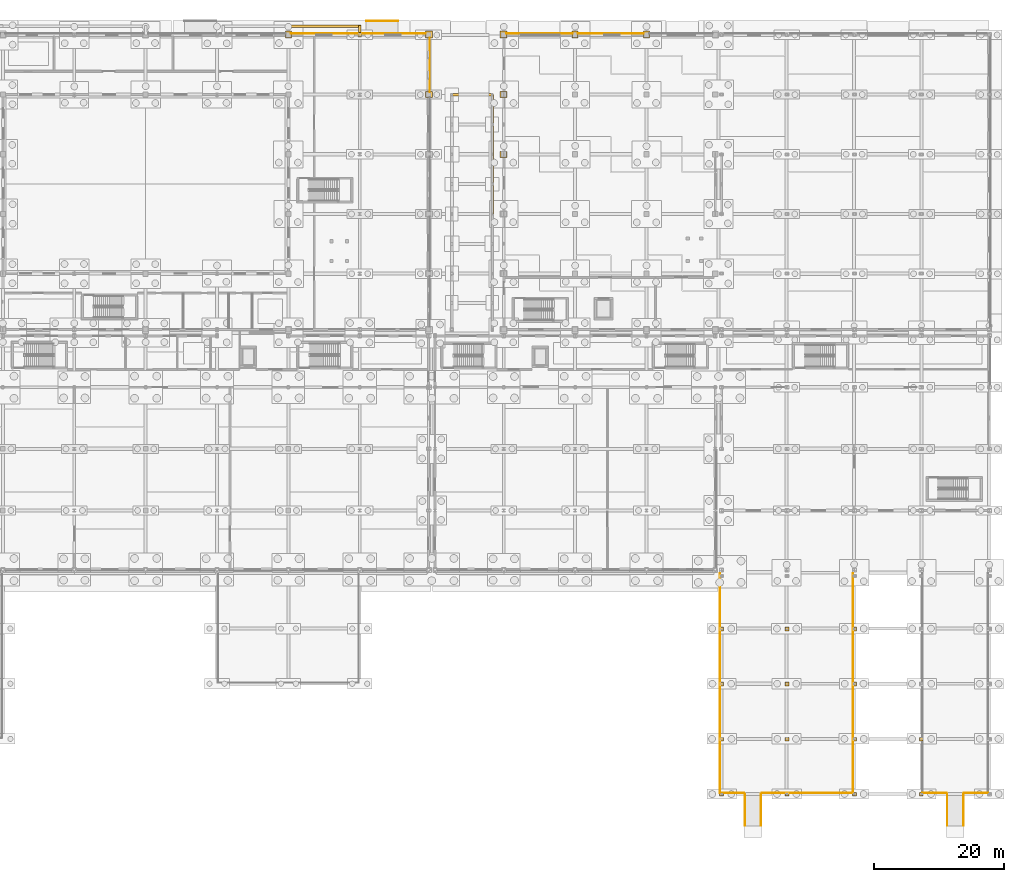
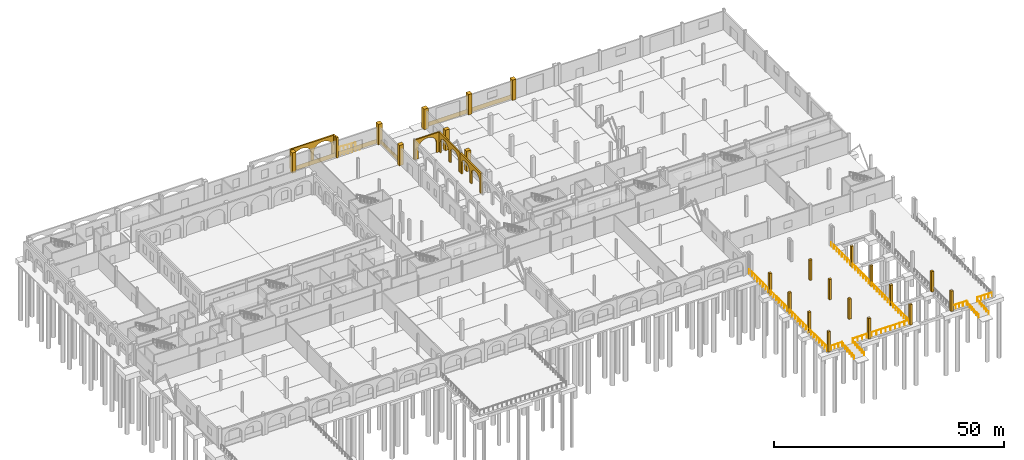
# One storey, part 78 of 83: 33 coverings, 12 railings.
"""IFC4 building model written with IfcOpenShell, lengths in metres."""

from ifc_helpers import new_model, si_unit, direction, frame, frame_2d, origin, origin_2d, place, context, subcontext, project, spatial, polyline, rectangle, circle, outline, extrude, material, layer, layer_set, type_object, element, save


model = new_model("IFC4")

# Units and contexts
model_context = context("Model", 3, precision=1e-05, world=origin(), true_north=direction((0.0, 1.0)))
body_context = subcontext(model_context, "Body", "Model", "MODEL_VIEW")
ifc_project = project(units=[si_unit("LENGTHUNIT", "METRE"), si_unit("AREAUNIT", "SQUARE_METRE"), si_unit("VOLUMEUNIT", "CUBIC_METRE"), si_unit("PLANEANGLEUNIT", "RADIAN"), si_unit("MASSUNIT", "GRAM", prefix="KILO")], contexts=[model_context])

# Site, building, storey
site_placement = place(None, origin())
site = spatial("IfcSite", under=ifc_project, at=site_placement, CompositionType="ELEMENT")
building_placement = place(site_placement, origin())
building = spatial("IfcBuilding", under=site, at=building_placement, Name="Caurita Quay Ferry Terminal", CompositionType="ELEMENT")
storey_placement = place(building_placement, origin())
storey = spatial("IfcBuildingStorey", under=building, at=storey_placement, Name="L00", CompositionType="ELEMENT", Elevation=0.0)

# Coverings
ifc_material_1 = material(Name="Warm-white lime stucco masonry", Category="masonry")
ifc_layer_1 = layer(ifc_material_1, 0.360107421875, Name="Spanish Colonial semicircular lime-stucco portales arcade 360 mm")
ifc_layer_set_1 = layer_set([ifc_layer_1], Name="Warm-white lime stucco masonry")
covering_type_1 = type_object("IfcCoveringType", Name="COV-ARC-CLD", PredefinedType="CLADDING", material=ifc_layer_set_1)
covering_1_placement = place(storey_placement, frame((77.199951171875, 118.35009765625, 0.0), z_axis=(0.0, 0.0, 1.0), x_axis=(-1.0, 0.0, 0.0)))
element("IfcCovering", 1, at=covering_1_placement, inside=storey, type_object=covering_type_1, Name="North Street Portales Colonnade 006", PredefinedType="CLADDING", context=body_context, shape_type="SweptSolid", body=[
    extrude(outline(polyline([(0.0, 0.0), (0.75, 0.0), (0.75, 2.550048828125), (0.826171875, 3.041748046875), (1.0498046875, 3.5), (1.4052734375, 3.8935546875), (1.86865234375, 4.195556640625), (2.408447265625, 4.38525390625), (2.987548828125, 4.449951171875), (3.566650390625, 4.38525390625), (4.106201171875, 4.195556640625), (4.569580078125, 3.8935546875), (4.92529296875, 3.5), (5.148681640625, 3.041748046875), (5.22509765625, 2.550048828125), (5.22509765625, 0.0), (5.97509765625, 0.0), (5.97509765625, 2.550048828125), (6.05126953125, 3.041748046875), (6.274658203125, 3.5), (6.63037109375, 3.8935546875), (7.09375, 4.195556640625), (7.63330078125, 4.38525390625), (8.21240234375, 4.449951171875), (8.79150390625, 4.38525390625), (9.331298828125, 4.195556640625), (9.794677734375, 3.8935546875), (10.150146484375, 3.5), (10.373779296875, 3.041748046875), (10.449951171875, 2.550048828125), (10.449951171875, 0.0), (11.199951171875, 0.0), (11.199951171875, 5.179931640625), (0.0, 5.179931640625), (0.0, 0.0)])), frame((0.0, 0.18017578125, 0.0), z_axis=(0.0, -1.0, 0.0), x_axis=(1.0, 0.0, 0.0)), (0.0, 0.0, 1.0), 0.360107421875),
])
covering_2_placement = place(storey_placement, frame((77.02001953125, 117.0, 0.0), z_axis=(0.0, 0.0, 1.0), x_axis=(0.0, 1.0, 0.0)))
element("IfcCovering", 2, at=covering_2_placement, inside=storey, type_object=covering_type_1, Name="North Portales End Arch 010", PredefinedType="CLADDING", context=body_context, shape_type="SweptSolid", body=[
    extrude(outline(polyline([(0.0, 0.0), (0.219970703125, 0.0), (0.219970703125, 2.550048828125), (0.2373046875, 2.66650390625), (0.28759765625, 2.77490234375), (0.367919921875, 2.8681640625), (0.472412109375, 2.939697265625), (0.59423828125, 2.984619140625), (0.72509765625, 3.0), (0.855712890625, 2.984619140625), (0.9775390625, 2.939697265625), (1.08203125, 2.8681640625), (1.162353515625, 2.77490234375), (1.212646484375, 2.66650390625), (1.22998046875, 2.550048828125), (1.22998046875, 0.0), (1.449951171875, 0.0), (1.449951171875, 5.179931640625), (0.0, 5.179931640625), (0.0, 0.0)])), frame((0.0, 0.18017578125, 0.0), z_axis=(0.0, -1.0, 0.0), x_axis=(1.0, 0.0, 0.0)), (0.0, 0.0, 1.0), 0.360107421875),
])
covering_3_placement = place(storey_placement, frame((97.39990234375, 89.39990234375, 0.0), z_axis=(0.0, 0.0, 1.0), x_axis=(0.0, 1.0, 0.0)))
element("IfcCovering", 3, at=covering_3_placement, inside=storey, type_object=covering_type_1, Name="Forecourt Portico Semicircular Arcade 036", PredefinedType="CLADDING", context=body_context, shape_type="SweptSolid", body=[
    extrude(outline(polyline([(0.0, 0.0), (0.64990234375, 0.0), (0.64990234375, 2.64990234375), (0.711669921875, 3.10302734375), (0.892822265625, 3.52490234375), (1.180908203125, 3.887451171875), (1.55615234375, 4.16552734375), (1.993408203125, 4.34033203125), (2.462646484375, 4.39990234375), (2.931640625, 4.34033203125), (3.368896484375, 4.16552734375), (3.744140625, 3.887451171875), (4.0322265625, 3.52490234375), (4.21337890625, 3.10302734375), (4.275146484375, 2.64990234375), (4.275146484375, 0.0), (4.925048828125, 0.0), (4.925048828125, 2.64990234375), (4.98681640625, 3.10302734375), (5.16796875, 3.52490234375), (5.4560546875, 3.887451171875), (5.831298828125, 4.16552734375), (6.2685546875, 4.34033203125), (6.737548828125, 4.39990234375), (7.206787109375, 4.34033203125), (7.64404296875, 4.16552734375), (8.019287109375, 3.887451171875), (8.307373046875, 3.52490234375), (8.488525390625, 3.10302734375), (8.55029296875, 2.64990234375), (8.55029296875, 0.0), (9.2001953125, 0.0), (9.2001953125, 5.260009765625), (0.0, 5.260009765625), (0.0, 0.0)])), frame((0.0, 0.18017578125, 0.0), z_axis=(0.0, -1.0, 0.0), x_axis=(1.0, 0.0, 0.0)), (0.0, 0.0, 1.0), 0.360107421875),
])
covering_4_placement = place(storey_placement, frame((97.39990234375, 98.60009765625, 0.0), z_axis=(0.0, 0.0, 1.0), x_axis=(0.0, 1.0, 0.0)))
element("IfcCovering", 4, at=covering_4_placement, inside=storey, type_object=covering_type_1, Name="Forecourt Portico Semicircular Arcade 037", PredefinedType="CLADDING", context=body_context, shape_type="SweptSolid", body=[
    extrude(outline(polyline([(0.0, 0.0), (0.64990234375, 0.0), (0.64990234375, 2.64990234375), (0.711669921875, 3.10302734375), (0.892822265625, 3.52490234375), (1.180908203125, 3.887451171875), (1.55615234375, 4.16552734375), (1.993408203125, 4.34033203125), (2.46240234375, 4.39990234375), (2.931640625, 4.34033203125), (3.36865234375, 4.16552734375), (3.744140625, 3.887451171875), (4.0322265625, 3.52490234375), (4.213134765625, 3.10302734375), (4.27490234375, 2.64990234375), (4.27490234375, 0.0), (4.925048828125, 0.0), (4.925048828125, 2.64990234375), (4.98681640625, 3.10302734375), (5.167724609375, 3.52490234375), (5.455810546875, 3.887451171875), (5.831298828125, 4.16552734375), (6.268310546875, 4.34033203125), (6.737548828125, 4.39990234375), (7.20654296875, 4.34033203125), (7.643798828125, 4.16552734375), (8.01904296875, 3.887451171875), (8.30712890625, 3.52490234375), (8.48828125, 3.10302734375), (8.550048828125, 2.64990234375), (8.550048828125, 0.0), (9.199951171875, 0.0), (9.199951171875, 5.260009765625), (0.0, 5.260009765625), (0.0, 0.0)])), frame((0.0, 0.18017578125, 0.0), z_axis=(0.0, -1.0, 0.0), x_axis=(1.0, 0.0, 0.0)), (0.0, 0.0, 1.0), 0.360107421875),
])
covering_5_placement = place(storey_placement, frame((97.550048828125, 107.800048828125, 0.0), z_axis=(0.0, 0.0, 1.0), x_axis=(-1.0, 0.0, 0.0)))
element("IfcCovering", 5, at=covering_5_placement, inside=storey, type_object=covering_type_1, Name="Forecourt Portico Grand North Entry Arch 038", PredefinedType="CLADDING", context=body_context, shape_type="SweptSolid", body=[
    extrude(outline(polyline([(0.0, 0.0), (0.949951171875, 0.0), (0.949951171875, 2.699951171875), (1.0283203125, 3.23046875), (1.258056640625, 3.72509765625), (1.62353515625, 4.149658203125), (2.10009765625, 4.475341796875), (2.65478515625, 4.68017578125), (3.25, 4.75), (3.84521484375, 4.68017578125), (4.39990234375, 4.475341796875), (4.87646484375, 4.149658203125), (5.241943359375, 3.72509765625), (5.4716796875, 3.23046875), (5.550048828125, 2.699951171875), (5.550048828125, 0.0), (6.5, 0.0), (6.5, 5.260009765625), (0.0, 5.260009765625), (0.0, 0.0)])), frame((0.0, 0.18017578125, 0.0), z_axis=(0.0, -1.0, 0.0), x_axis=(1.0, 0.0, 0.0)), (0.0, 0.0, 1.0), 0.360107421875),
])
ifc_material_2 = material(Name="Coral stone ashlar cladding", Category="masonry")
ifc_layer_2 = layer(ifc_material_2, 0.054931640625, Name="Rusticated coral-stone basamento plinth cladding 55 mm")
ifc_layer_set_2 = layer_set([ifc_layer_2], Name="Coral stone ashlar cladding")
covering_type_2 = type_object("IfcCoveringType", Name="COV-CORAL-CLD", PredefinedType="CLADDING", material=ifc_layer_set_2)
covering_6_placement = place(storey_placement, frame((76.984130859375, 117.215087890625, 0.0), z_axis=(0.0, 0.0, 1.0), x_axis=(-1.0, 0.0, 0.0)))
element("IfcCovering", 6, at=covering_6_placement, inside=storey, type_object=covering_type_2, Name="Coral-Stone Basamento Cladding 007", PredefinedType="CLADDING", context=body_context, shape_type="SweptSolid", body=[
    extrude(rectangle(XDim=10.586181640625, YDim=0.054931640625, at=frame_2d((5.29296875, 0.0))), origin(), (0.0, 0.0, 1.0), 1.14990234375),
])
covering_7_placement = place(storey_placement, frame((87.201904296875, 117.215087890625, 0.0), z_axis=(0.0, 0.0, 1.0), x_axis=(-1.0, 0.0, 0.0)))
element("IfcCovering", 7, at=covering_7_placement, inside=storey, type_object=covering_type_2, Name="Coral-Stone Basamento Cladding 008", PredefinedType="CLADDING", context=body_context, shape_type="SweptSolid", body=[
    extrude(rectangle(XDim=10.18603515625, YDim=0.054931640625, at=frame_2d((5.093017578125, 0.0))), origin(), (0.0, 0.0, 1.0), 1.14990234375),
])
covering_8_placement = place(storey_placement, frame((87.794921875, 108.197998046875, 0.0), z_axis=(0.0, 0.0, 1.0), x_axis=(0.0, 1.0, 0.0)))
element("IfcCovering", 8, at=covering_8_placement, inside=storey, type_object=covering_type_2, Name="Coral-Stone Basamento Cladding 080", PredefinedType="CLADDING", context=body_context, shape_type="SweptSolid", body=[
    extrude(rectangle(XDim=8.404052734375, YDim=0.054931640625, at=frame_2d((4.2021484375, 0.0))), origin(), (0.0, 0.0, 1.0), 1.14990234375),
])
for number, where, z_axis, x_axis, name in (
    (9, (109.802001953125, 117.195068359375, 0.0), (0.0, 0.0, 1.0), (-1.0, 0.0, 0.0), "Coral-Stone Basamento Cladding 188"),
    (10, (120.802001953125, 117.195068359375, 0.0), (0.0, 0.0, 1.0), (-1.0, 0.0, 0.0), "Coral-Stone Basamento Cladding 191"),
):
    element("IfcCovering", number, at=place(storey_placement, frame(where, z_axis=z_axis, x_axis=x_axis)), inside=storey, type_object=covering_type_2, Name=name, PredefinedType="CLADDING", context=body_context, shape_type="SweptSolid", body=[
        extrude(rectangle(XDim=10.2041015625, YDim=0.054931640625, at=frame_2d((5.10205078125, 0.0))), origin(), (0.0, 0.0, 1.0), 1.14990234375),
    ])
ifc_layer_3 = layer(ifc_material_1, 0.179931640625, Name="Classical engaged lime-stucco facade pilaster cladding 180 mm")
ifc_layer_set_3 = layer_set([ifc_layer_3], Name="Warm-white lime stucco masonry")
covering_type_3 = type_object("IfcCoveringType", Name="COV-PIL-CLD", PredefinedType="CLADDING", material=ifc_layer_set_3)
for number, where, z_axis, x_axis, name in (
    (11, (132.75, -0.050048828125, 0.0), (0.0, 0.0, 1.0), (1.0, 0.0, 0.0), "L00 Classical Engaged Pilaster 0127"),
    (12, (132.75, 8.449951171875, 0.0), (0.0, 0.0, 1.0), (1.0, 0.0, 0.0), "L00 Classical Engaged Pilaster 0128"),
    (13, (132.75, 16.949951171875, 0.0), (0.0, 0.0, 1.0), (1.0, 0.0, 0.0), "L00 Classical Engaged Pilaster 0130"),
    (14, (132.75, 25.449951171875, 0.0), (0.0, 0.0, 1.0), (1.0, 0.0, 0.0), "L00 Classical Engaged Pilaster 0132"),
    (15, (142.85009765625, -0.050048828125, 0.0), (0.0, 0.0, 1.0), (1.0, 0.0, 0.0), "L00 Classical Engaged Pilaster 0146"),
    (16, (142.85009765625, 8.449951171875, 0.0), (0.0, 0.0, 1.0), (1.0, 0.0, 0.0), "L00 Classical Engaged Pilaster 0147"),
    (17, (142.85009765625, 16.949951171875, 0.0), (0.0, 0.0, 1.0), (1.0, 0.0, 0.0), "L00 Classical Engaged Pilaster 0149"),
    (18, (142.85009765625, 25.449951171875, 0.0), (0.0, 0.0, 1.0), (1.0, 0.0, 0.0), "L00 Classical Engaged Pilaster 0151"),
    (19, (153.25, -0.050048828125, 0.0), (0.0, 0.0, 1.0), (1.0, 0.0, 0.0), "L00 Classical Engaged Pilaster 0165"),
    (20, (153.25, 8.449951171875, 0.0), (0.0, 0.0, 1.0), (1.0, 0.0, 0.0), "L00 Classical Engaged Pilaster 0166"),
    (21, (153.25, 16.949951171875, 0.0), (0.0, 0.0, 1.0), (1.0, 0.0, 0.0), "L00 Classical Engaged Pilaster 0167"),
    (22, (153.25, 25.449951171875, 0.0), (0.0, 0.0, 1.0), (1.0, 0.0, 0.0), "L00 Classical Engaged Pilaster 0168"),
    (23, (163.550048828125, -0.050048828125, 0.0), (0.0, 0.0, 1.0), (1.0, 0.0, 0.0), "L00 Classical Engaged Pilaster 0180"),
    (24, (163.550048828125, 8.449951171875, 0.0), (0.0, 0.0, 1.0), (1.0, 0.0, 0.0), "L00 Classical Engaged Pilaster 0181"),
):
    element("IfcCovering", number, at=place(storey_placement, frame(where, z_axis=z_axis, x_axis=x_axis)), inside=storey, type_object=covering_type_3, Name=name, PredefinedType="CLADDING", context=body_context, shape_type="SweptSolid", body=[
        extrude(rectangle(XDim=0.584716796875, YDim=0.584716796875, at=origin_2d()), origin(), (0.0, 0.0, 1.0), 5.39990234375),
    ])
for number, where, z_axis, x_axis, name in (
    (25, (99.14990234375, 98.60009765625, 0.0), (0.0, 0.0, 1.0), (1.0, 0.0, 0.0), "L00 Classical Engaged Pilaster 0214"),
    (26, (99.14990234375, 107.800048828125, 0.0), (0.0, 0.0, 1.0), (1.0, 0.0, 0.0), "L00 Classical Engaged Pilaster 0216"),
):
    element("IfcCovering", number, at=place(storey_placement, frame(where, z_axis=z_axis, x_axis=x_axis)), inside=storey, type_object=covering_type_3, Name=name, PredefinedType="CLADDING", context=body_context, shape_type="SweptSolid", body=[
        extrude(rectangle(XDim=1.080078125, YDim=0.919921875, at=origin_2d()), origin(), (0.0, 0.0, 1.0), 5.39990234375),
    ])
covering_9_placement = place(storey_placement, frame((99.14990234375, 117.050048828125, 0.0), z_axis=(0.0, 0.0, 1.0), x_axis=(1.0, 0.0, 0.0)))
element("IfcCovering", 27, at=covering_9_placement, inside=storey, type_object=covering_type_3, Name="L00 Classical Engaged Pilaster 0218", PredefinedType="CLADDING", context=body_context, shape_type="SweptSolid", body=[
    extrude(rectangle(XDim=1.080078125, YDim=1.080078125, at=origin_2d()), origin(), (0.0, 0.0, 1.0), 5.39990234375),
])
for number, where, z_axis, x_axis, name in (
    (28, (110.199951171875, 117.050048828125, 0.0), (0.0, 0.0, 1.0), (1.0, 0.0, 0.0), "L00 Classical Engaged Pilaster 0222"),
    (29, (121.199951171875, 117.050048828125, 0.0), (0.0, 0.0, 1.0), (1.0, 0.0, 0.0), "L00 Classical Engaged Pilaster 0226"),
    (30, (66.0, 117.050048828125, 0.0), (0.0, 0.0, 1.0), (1.0, 0.0, 0.0), "L00 Classical Engaged Pilaster 0380"),
):
    element("IfcCovering", number, at=place(storey_placement, frame(where, z_axis=z_axis, x_axis=x_axis)), inside=storey, type_object=covering_type_3, Name=name, PredefinedType="CLADDING", context=body_context, shape_type="SweptSolid", body=[
        extrude(rectangle(XDim=0.919921875, YDim=1.080078125, at=origin_2d()), origin(), (0.0, 0.0, 1.0), 5.39990234375),
    ])
covering_10_placement = place(storey_placement, frame((77.0, 117.050048828125, 0.0), z_axis=(0.0, 0.0, 1.0), x_axis=(1.0, 0.0, 0.0)))
element("IfcCovering", 31, at=covering_10_placement, inside=storey, type_object=covering_type_3, Name="L00 Classical Engaged Pilaster 0391", PredefinedType="CLADDING", context=body_context, shape_type="SweptSolid", body=[
    extrude(rectangle(XDim=0.531005859375, YDim=0.714111328125, at=origin_2d()), origin(), (0.0, 0.0, 1.0), 5.39990234375),
])
covering_11_placement = place(storey_placement, frame((87.64990234375, 107.800048828125, 0.0), z_axis=(0.0, 0.0, 1.0), x_axis=(1.0, 0.0, 0.0)))
element("IfcCovering", 32, at=covering_11_placement, inside=storey, type_object=covering_type_3, Name="L00 Classical Engaged Pilaster 0402", PredefinedType="CLADDING", context=body_context, shape_type="SweptSolid", body=[
    extrude(rectangle(XDim=1.080078125, YDim=0.919921875, at=origin_2d()), origin(), (0.0, 0.0, 1.0), 5.39990234375),
])
covering_12_placement = place(storey_placement, frame((87.64990234375, 117.050048828125, 0.0), z_axis=(0.0, 0.0, 1.0), x_axis=(1.0, 0.0, 0.0)))
element("IfcCovering", 33, at=covering_12_placement, inside=storey, type_object=covering_type_3, Name="L00 Classical Engaged Pilaster 0404", PredefinedType="CLADDING", context=body_context, shape_type="SweptSolid", body=[
    extrude(rectangle(XDim=1.080078125, YDim=1.080078125, at=origin_2d()), origin(), (0.0, 0.0, 1.0), 5.39990234375),
])

# Railings
ifc_material_3 = material(Name="Bronze architectural metalwork", Category="metal")
railing_type_1 = type_object("IfcRailingType", Name="RL-HND-090", PredefinedType="HANDRAIL", material=ifc_material_3)
for number, where, name in (
    (34, (138.840087890625, -4.89990234375, -0.35009765625), "Berth 1 Accessible Boarding Gangway Ramp Handrail 1"),
    (35, (136.360107421875, -4.89990234375, -0.35009765625), "Berth 1 Accessible Boarding Gangway Ramp Handrail 2"),
    (36, (170.0400390625, -4.89990234375, -0.35009765625), "Berth 2 Accessible Boarding Gangway Ramp Handrail 1"),
    (37, (167.56005859375, -4.89990234375, -0.35009765625), "Berth 2 Accessible Boarding Gangway Ramp Handrail 2"),
):
    element("IfcRailing", number, at=place(storey_placement, frame(where)), inside=storey, type_object=railing_type_1, Name=name, PredefinedType="HANDRAIL", context=body_context, shape_type="SweptSolid", body=[
        extrude(circle(Radius=0.02392578125, at=origin_2d()), frame((0.0, 0.0, 0.8759765625), z_axis=(0.0, 0.997457185933, 0.071268241387), x_axis=(-1.0, 0.0, 0.0)), (0.0, 0.0, 1.0), 4.912353515625),
        extrude(circle(Radius=0.02099609375, at=origin_2d()), origin(), (0.0, 0.0, 1.0), 0.851806640625),
        extrude(circle(Radius=0.02099609375, at=origin_2d()), frame((0.0, 0.97998046875, 0.070068359375)), (0.0, 0.0, 1.0), 0.851806640625),
        extrude(circle(Radius=0.02099609375, at=origin_2d()), frame((0.0, 1.9599609375, 0.14013671875)), (0.0, 0.0, 1.0), 0.851806640625),
        extrude(circle(Radius=0.02099609375, at=origin_2d()), frame((0.0, 2.93994140625, 0.2099609375)), (0.0, 0.0, 1.0), 0.851806640625),
        extrude(circle(Radius=0.02099609375, at=origin_2d()), frame((0.0, 3.919921875, 0.280029296875)), (0.0, 0.0, 1.0), 0.851806640625),
        extrude(circle(Radius=0.02099609375, at=origin_2d()), frame((0.0, 4.89990234375, 0.35009765625)), (0.0, 0.0, 1.0), 0.851806640625),
    ])
for number, where, name in (
    (38, (82.89990234375, 119.139892578125, -0.35009765625), "Forecourt East Accessible Entry Ramp Handrail 1"),
    (39, (82.89990234375, 117.260009765625, -0.35009765625), "Forecourt East Accessible Entry Ramp Handrail 2"),
):
    element("IfcRailing", number, at=place(storey_placement, frame(where)), inside=storey, type_object=railing_type_1, Name=name, PredefinedType="HANDRAIL", context=body_context, shape_type="SweptSolid", body=[
        extrude(circle(Radius=0.02392578125, at=origin_2d()), frame((0.0, 0.0, 0.8759765625), z_axis=(-0.997457185933, 0.0, 0.071268241387), x_axis=(0.0, -1.0, 0.0)), (0.0, 0.0, 1.0), 4.912353515625),
        extrude(circle(Radius=0.02099609375, at=origin_2d()), origin(), (0.0, 0.0, 1.0), 0.851806640625),
        extrude(circle(Radius=0.02099609375, at=origin_2d()), frame((-0.97998046875, 0.0, 0.070068359375)), (0.0, 0.0, 1.0), 0.851806640625),
        extrude(circle(Radius=0.02099609375, at=origin_2d()), frame((-1.9599609375, 0.0, 0.14013671875)), (0.0, 0.0, 1.0), 0.851806640625),
        extrude(circle(Radius=0.02099609375, at=origin_2d()), frame((-2.93994140625, 0.0, 0.2099609375)), (0.0, 0.0, 1.0), 0.851806640625),
        extrude(circle(Radius=0.02099609375, at=origin_2d()), frame((-3.919921875, 0.0, 0.280029296875)), (0.0, 0.0, 1.0), 0.851806640625),
        extrude(circle(Radius=0.02099609375, at=origin_2d()), frame((-4.89990234375, 0.0, 0.35009765625)), (0.0, 0.0, 1.0), 0.851806640625),
    ])
railing_type_2 = type_object("IfcRailingType", Name="RL-QUAY-115", PredefinedType="GUARDRAIL", material=ifc_material_3)
railing_1_placement = place(storey_placement, frame((132.550048828125, 34.0, 0.0)))
element("IfcRailing", 40, at=railing_1_placement, inside=storey, type_object=railing_type_2, Name="Berth 1 Pier Guardrail W (007)", PredefinedType="GUARDRAIL", context=body_context, shape_type="SweptSolid", body=[
    extrude(circle(Radius=0.02392578125, at=origin_2d()), frame((0.0, 0.0, 1.1259765625), z_axis=(0.0, -1.0, 0.0), x_axis=(1.0, 0.0, 0.0)), (0.0, 0.0, 1.0), 33.85009765625),
    extrude(circle(Radius=0.02099609375, at=origin_2d()), origin(), (0.0, 0.0, 1.0), 1.101806640625),
    extrude(circle(Radius=0.02099609375, at=origin_2d()), frame((0.0, -1.167236328125, 0.0)), (0.0, 0.0, 1.0), 1.101806640625),
    extrude(circle(Radius=0.02099609375, at=origin_2d()), frame((0.0, -2.33447265625, 0.0)), (0.0, 0.0, 1.0), 1.101806640625),
    extrude(circle(Radius=0.02099609375, at=origin_2d()), frame((0.0, -3.501708984375, 0.0)), (0.0, 0.0, 1.0), 1.101806640625),
    extrude(circle(Radius=0.02099609375, at=origin_2d()), frame((0.0, -4.6689453125, 0.0)), (0.0, 0.0, 1.0), 1.101806640625),
    extrude(circle(Radius=0.02099609375, at=origin_2d()), frame((0.0, -5.836181640625, 0.0)), (0.0, 0.0, 1.0), 1.101806640625),
    extrude(circle(Radius=0.02099609375, at=origin_2d()), frame((0.0, -7.00341796875, 0.0)), (0.0, 0.0, 1.0), 1.101806640625),
    extrude(circle(Radius=0.02099609375, at=origin_2d()), frame((0.0, -8.170654296875, 0.0)), (0.0, 0.0, 1.0), 1.101806640625),
    extrude(circle(Radius=0.02099609375, at=origin_2d()), frame((0.0, -9.337890625, 0.0)), (0.0, 0.0, 1.0), 1.101806640625),
    extrude(circle(Radius=0.02099609375, at=origin_2d()), frame((0.0, -10.505126953125, 0.0)), (0.0, 0.0, 1.0), 1.101806640625),
    extrude(circle(Radius=0.02099609375, at=origin_2d()), frame((0.0, -11.67236328125, 0.0)), (0.0, 0.0, 1.0), 1.101806640625),
    extrude(circle(Radius=0.02099609375, at=origin_2d()), frame((0.0, -12.839599609375, 0.0)), (0.0, 0.0, 1.0), 1.101806640625),
    extrude(circle(Radius=0.02099609375, at=origin_2d()), frame((0.0, -14.0068359375, 0.0)), (0.0, 0.0, 1.0), 1.101806640625),
    extrude(circle(Radius=0.02099609375, at=origin_2d()), frame((0.0, -15.174072265625, 0.0)), (0.0, 0.0, 1.0), 1.101806640625),
    extrude(circle(Radius=0.02099609375, at=origin_2d()), frame((0.0, -16.34130859375, 0.0)), (0.0, 0.0, 1.0), 1.101806640625),
    extrude(circle(Radius=0.02099609375, at=origin_2d()), frame((0.0, -17.5087890625, 0.0)), (0.0, 0.0, 1.0), 1.101806640625),
    extrude(circle(Radius=0.02099609375, at=origin_2d()), frame((0.0, -18.676025390625, 0.0)), (0.0, 0.0, 1.0), 1.101806640625),
    extrude(circle(Radius=0.02099609375, at=origin_2d()), frame((0.0, -19.84326171875, 0.0)), (0.0, 0.0, 1.0), 1.101806640625),
    extrude(circle(Radius=0.02099609375, at=origin_2d()), frame((0.0, -21.010498046875, 0.0)), (0.0, 0.0, 1.0), 1.101806640625),
    extrude(circle(Radius=0.02099609375, at=origin_2d()), frame((0.0, -22.177734375, 0.0)), (0.0, 0.0, 1.0), 1.101806640625),
    extrude(circle(Radius=0.02099609375, at=origin_2d()), frame((0.0, -23.344970703125, 0.0)), (0.0, 0.0, 1.0), 1.101806640625),
    extrude(circle(Radius=0.02099609375, at=origin_2d()), frame((0.0, -24.51220703125, 0.0)), (0.0, 0.0, 1.0), 1.101806640625),
    extrude(circle(Radius=0.02099609375, at=origin_2d()), frame((0.0, -25.679443359375, 0.0)), (0.0, 0.0, 1.0), 1.101806640625),
    extrude(circle(Radius=0.02099609375, at=origin_2d()), frame((0.0, -26.8466796875, 0.0)), (0.0, 0.0, 1.0), 1.101806640625),
    extrude(circle(Radius=0.02099609375, at=origin_2d()), frame((0.0, -28.013916015625, 0.0)), (0.0, 0.0, 1.0), 1.101806640625),
    extrude(circle(Radius=0.02099609375, at=origin_2d()), frame((0.0, -29.18115234375, 0.0)), (0.0, 0.0, 1.0), 1.101806640625),
    extrude(circle(Radius=0.02099609375, at=origin_2d()), frame((0.0, -30.348388671875, 0.0)), (0.0, 0.0, 1.0), 1.101806640625),
    extrude(circle(Radius=0.02099609375, at=origin_2d()), frame((0.0, -31.515625, 0.0)), (0.0, 0.0, 1.0), 1.101806640625),
    extrude(circle(Radius=0.02099609375, at=origin_2d()), frame((0.0, -32.682861328125, 0.0)), (0.0, 0.0, 1.0), 1.101806640625),
    extrude(circle(Radius=0.02099609375, at=origin_2d()), frame((0.0, -33.85009765625, 0.0)), (0.0, 0.0, 1.0), 1.101806640625),
])
railing_2_placement = place(storey_placement, frame((132.550048828125, 0.14990234375, 0.0)))
element("IfcRailing", 41, at=railing_2_placement, inside=storey, type_object=railing_type_2, Name="Berth 1 Pier Guardrail W (008)", PredefinedType="GUARDRAIL", context=body_context, shape_type="SweptSolid", body=[
    extrude(circle(Radius=0.02392578125, at=origin_2d()), frame((0.0, 0.0, 1.1259765625), z_axis=(1.0, 0.0, 0.0), x_axis=(0.0, 1.0, 0.0)), (0.0, 0.0, 1.0), 3.699951171875),
    extrude(circle(Radius=0.02099609375, at=origin_2d()), origin(), (0.0, 0.0, 1.0), 1.101806640625),
    extrude(circle(Radius=0.02099609375, at=origin_2d()), frame((0.925048828125, 0.0, 0.0)), (0.0, 0.0, 1.0), 1.101806640625),
    extrude(circle(Radius=0.02099609375, at=origin_2d()), frame((1.85009765625, 0.0, 0.0)), (0.0, 0.0, 1.0), 1.101806640625),
    extrude(circle(Radius=0.02099609375, at=origin_2d()), frame((2.77490234375, 0.0, 0.0)), (0.0, 0.0, 1.0), 1.101806640625),
    extrude(circle(Radius=0.02099609375, at=origin_2d()), frame((3.699951171875, 0.0, 0.0)), (0.0, 0.0, 1.0), 1.101806640625),
])
railing_3_placement = place(storey_placement, frame((138.949951171875, 0.14990234375, 0.0)))
element("IfcRailing", 42, at=railing_3_placement, inside=storey, type_object=railing_type_2, Name="Berth 1 Pier Guardrail E (009)", PredefinedType="GUARDRAIL", context=body_context, shape_type="SweptSolid", body=[
    extrude(circle(Radius=0.02392578125, at=origin_2d()), frame((0.0, 0.0, 1.1259765625), z_axis=(1.0, 0.0, 0.0), x_axis=(0.0, 1.0, 0.0)), (0.0, 0.0, 1.0), 14.10009765625),
    extrude(circle(Radius=0.02099609375, at=origin_2d()), origin(), (0.0, 0.0, 1.0), 1.101806640625),
    extrude(circle(Radius=0.02099609375, at=origin_2d()), frame((1.175048828125, 0.0, 0.0)), (0.0, 0.0, 1.0), 1.101806640625),
    extrude(circle(Radius=0.02099609375, at=origin_2d()), frame((2.35009765625, 0.0, 0.0)), (0.0, 0.0, 1.0), 1.101806640625),
    extrude(circle(Radius=0.02099609375, at=origin_2d()), frame((3.52490234375, 0.0, 0.0)), (0.0, 0.0, 1.0), 1.101806640625),
    extrude(circle(Radius=0.02099609375, at=origin_2d()), frame((4.699951171875, 0.0, 0.0)), (0.0, 0.0, 1.0), 1.101806640625),
    extrude(circle(Radius=0.02099609375, at=origin_2d()), frame((5.875, 0.0, 0.0)), (0.0, 0.0, 1.0), 1.101806640625),
    extrude(circle(Radius=0.02099609375, at=origin_2d()), frame((7.050048828125, 0.0, 0.0)), (0.0, 0.0, 1.0), 1.101806640625),
    extrude(circle(Radius=0.02099609375, at=origin_2d()), frame((8.22509765625, 0.0, 0.0)), (0.0, 0.0, 1.0), 1.101806640625),
    extrude(circle(Radius=0.02099609375, at=origin_2d()), frame((9.400146484375, 0.0, 0.0)), (0.0, 0.0, 1.0), 1.101806640625),
    extrude(circle(Radius=0.02099609375, at=origin_2d()), frame((10.5751953125, 0.0, 0.0)), (0.0, 0.0, 1.0), 1.101806640625),
    extrude(circle(Radius=0.02099609375, at=origin_2d()), frame((11.75, 0.0, 0.0)), (0.0, 0.0, 1.0), 1.101806640625),
    extrude(circle(Radius=0.02099609375, at=origin_2d()), frame((12.925048828125, 0.0, 0.0)), (0.0, 0.0, 1.0), 1.101806640625),
    extrude(circle(Radius=0.02099609375, at=origin_2d()), frame((14.10009765625, 0.0, 0.0)), (0.0, 0.0, 1.0), 1.101806640625),
])
railing_4_placement = place(storey_placement, frame((153.050048828125, 0.14990234375, 0.0)))
element("IfcRailing", 43, at=railing_4_placement, inside=storey, type_object=railing_type_2, Name="Berth 1 Pier Guardrail E (010)", PredefinedType="GUARDRAIL", context=body_context, shape_type="SweptSolid", body=[
    extrude(circle(Radius=0.02392578125, at=origin_2d()), frame((0.0, 0.0, 1.1259765625), z_axis=(0.0, 1.0, 0.0), x_axis=(-1.0, 0.0, 0.0)), (0.0, 0.0, 1.0), 33.85009765625),
    extrude(circle(Radius=0.02099609375, at=origin_2d()), origin(), (0.0, 0.0, 1.0), 1.101806640625),
    extrude(circle(Radius=0.02099609375, at=origin_2d()), frame((0.0, 1.167236328125, 0.0)), (0.0, 0.0, 1.0), 1.101806640625),
    extrude(circle(Radius=0.02099609375, at=origin_2d()), frame((0.0, 2.33447265625, 0.0)), (0.0, 0.0, 1.0), 1.101806640625),
    extrude(circle(Radius=0.02099609375, at=origin_2d()), frame((0.0, 3.501708984375, 0.0)), (0.0, 0.0, 1.0), 1.101806640625),
    extrude(circle(Radius=0.02099609375, at=origin_2d()), frame((0.0, 4.6689453125, 0.0)), (0.0, 0.0, 1.0), 1.101806640625),
    extrude(circle(Radius=0.02099609375, at=origin_2d()), frame((0.0, 5.836181640625, 0.0)), (0.0, 0.0, 1.0), 1.101806640625),
    extrude(circle(Radius=0.02099609375, at=origin_2d()), frame((0.0, 7.00341796875, 0.0)), (0.0, 0.0, 1.0), 1.101806640625),
    extrude(circle(Radius=0.02099609375, at=origin_2d()), frame((0.0, 8.170654296875, 0.0)), (0.0, 0.0, 1.0), 1.101806640625),
    extrude(circle(Radius=0.02099609375, at=origin_2d()), frame((0.0, 9.337890625, 0.0)), (0.0, 0.0, 1.0), 1.101806640625),
    extrude(circle(Radius=0.02099609375, at=origin_2d()), frame((0.0, 10.505126953125, 0.0)), (0.0, 0.0, 1.0), 1.101806640625),
    extrude(circle(Radius=0.02099609375, at=origin_2d()), frame((0.0, 11.67236328125, 0.0)), (0.0, 0.0, 1.0), 1.101806640625),
    extrude(circle(Radius=0.02099609375, at=origin_2d()), frame((0.0, 12.839599609375, 0.0)), (0.0, 0.0, 1.0), 1.101806640625),
    extrude(circle(Radius=0.02099609375, at=origin_2d()), frame((0.0, 14.0068359375, 0.0)), (0.0, 0.0, 1.0), 1.101806640625),
    extrude(circle(Radius=0.02099609375, at=origin_2d()), frame((0.0, 15.174072265625, 0.0)), (0.0, 0.0, 1.0), 1.101806640625),
    extrude(circle(Radius=0.02099609375, at=origin_2d()), frame((0.0, 16.34130859375, 0.0)), (0.0, 0.0, 1.0), 1.101806640625),
    extrude(circle(Radius=0.02099609375, at=origin_2d()), frame((0.0, 17.5087890625, 0.0)), (0.0, 0.0, 1.0), 1.101806640625),
    extrude(circle(Radius=0.02099609375, at=origin_2d()), frame((0.0, 18.676025390625, 0.0)), (0.0, 0.0, 1.0), 1.101806640625),
    extrude(circle(Radius=0.02099609375, at=origin_2d()), frame((0.0, 19.84326171875, 0.0)), (0.0, 0.0, 1.0), 1.101806640625),
    extrude(circle(Radius=0.02099609375, at=origin_2d()), frame((0.0, 21.010498046875, 0.0)), (0.0, 0.0, 1.0), 1.101806640625),
    extrude(circle(Radius=0.02099609375, at=origin_2d()), frame((0.0, 22.177734375, 0.0)), (0.0, 0.0, 1.0), 1.101806640625),
    extrude(circle(Radius=0.02099609375, at=origin_2d()), frame((0.0, 23.344970703125, 0.0)), (0.0, 0.0, 1.0), 1.101806640625),
    extrude(circle(Radius=0.02099609375, at=origin_2d()), frame((0.0, 24.51220703125, 0.0)), (0.0, 0.0, 1.0), 1.101806640625),
    extrude(circle(Radius=0.02099609375, at=origin_2d()), frame((0.0, 25.679443359375, 0.0)), (0.0, 0.0, 1.0), 1.101806640625),
    extrude(circle(Radius=0.02099609375, at=origin_2d()), frame((0.0, 26.8466796875, 0.0)), (0.0, 0.0, 1.0), 1.101806640625),
    extrude(circle(Radius=0.02099609375, at=origin_2d()), frame((0.0, 28.013916015625, 0.0)), (0.0, 0.0, 1.0), 1.101806640625),
    extrude(circle(Radius=0.02099609375, at=origin_2d()), frame((0.0, 29.18115234375, 0.0)), (0.0, 0.0, 1.0), 1.101806640625),
    extrude(circle(Radius=0.02099609375, at=origin_2d()), frame((0.0, 30.348388671875, 0.0)), (0.0, 0.0, 1.0), 1.101806640625),
    extrude(circle(Radius=0.02099609375, at=origin_2d()), frame((0.0, 31.515625, 0.0)), (0.0, 0.0, 1.0), 1.101806640625),
    extrude(circle(Radius=0.02099609375, at=origin_2d()), frame((0.0, 32.682861328125, 0.0)), (0.0, 0.0, 1.0), 1.101806640625),
    extrude(circle(Radius=0.02099609375, at=origin_2d()), frame((0.0, 33.85009765625, 0.0)), (0.0, 0.0, 1.0), 1.101806640625),
])
railing_5_placement = place(storey_placement, frame((163.75, 0.14990234375, 0.0)))
element("IfcRailing", 44, at=railing_5_placement, inside=storey, type_object=railing_type_2, Name="Berth 2 Pier Guardrail W (012)", PredefinedType="GUARDRAIL", context=body_context, shape_type="SweptSolid", body=[
    extrude(circle(Radius=0.02392578125, at=origin_2d()), frame((0.0, 0.0, 1.1259765625), z_axis=(1.0, 0.0, 0.0), x_axis=(0.0, 1.0, 0.0)), (0.0, 0.0, 1.0), 3.699951171875),
    extrude(circle(Radius=0.02099609375, at=origin_2d()), origin(), (0.0, 0.0, 1.0), 1.101806640625),
    extrude(circle(Radius=0.02099609375, at=origin_2d()), frame((0.925048828125, 0.0, 0.0)), (0.0, 0.0, 1.0), 1.101806640625),
    extrude(circle(Radius=0.02099609375, at=origin_2d()), frame((1.85009765625, 0.0, 0.0)), (0.0, 0.0, 1.0), 1.101806640625),
    extrude(circle(Radius=0.02099609375, at=origin_2d()), frame((2.77490234375, 0.0, 0.0)), (0.0, 0.0, 1.0), 1.101806640625),
    extrude(circle(Radius=0.02099609375, at=origin_2d()), frame((3.699951171875, 0.0, 0.0)), (0.0, 0.0, 1.0), 1.101806640625),
])
railing_6_placement = place(storey_placement, frame((170.14990234375, 0.14990234375, 0.0)))
element("IfcRailing", 45, at=railing_6_placement, inside=storey, type_object=railing_type_2, Name="Berth 2 Pier Guardrail E (013)", PredefinedType="GUARDRAIL", context=body_context, shape_type="SweptSolid", body=[
    extrude(circle(Radius=0.02392578125, at=origin_2d()), frame((0.0, 0.0, 1.1259765625), z_axis=(1.0, 0.0, 0.0), x_axis=(0.0, 1.0, 0.0)), (0.0, 0.0, 1.0), 3.7001953125),
    extrude(circle(Radius=0.02099609375, at=origin_2d()), origin(), (0.0, 0.0, 1.0), 1.101806640625),
    extrude(circle(Radius=0.02099609375, at=origin_2d()), frame((0.925048828125, 0.0, 0.0)), (0.0, 0.0, 1.0), 1.101806640625),
    extrude(circle(Radius=0.02099609375, at=origin_2d()), frame((1.85009765625, 0.0, 0.0)), (0.0, 0.0, 1.0), 1.101806640625),
    extrude(circle(Radius=0.02099609375, at=origin_2d()), frame((2.775146484375, 0.0, 0.0)), (0.0, 0.0, 1.0), 1.101806640625),
    extrude(circle(Radius=0.02099609375, at=origin_2d()), frame((3.7001953125, 0.0, 0.0)), (0.0, 0.0, 1.0), 1.101806640625),
])

save(model, "model.ifc")
